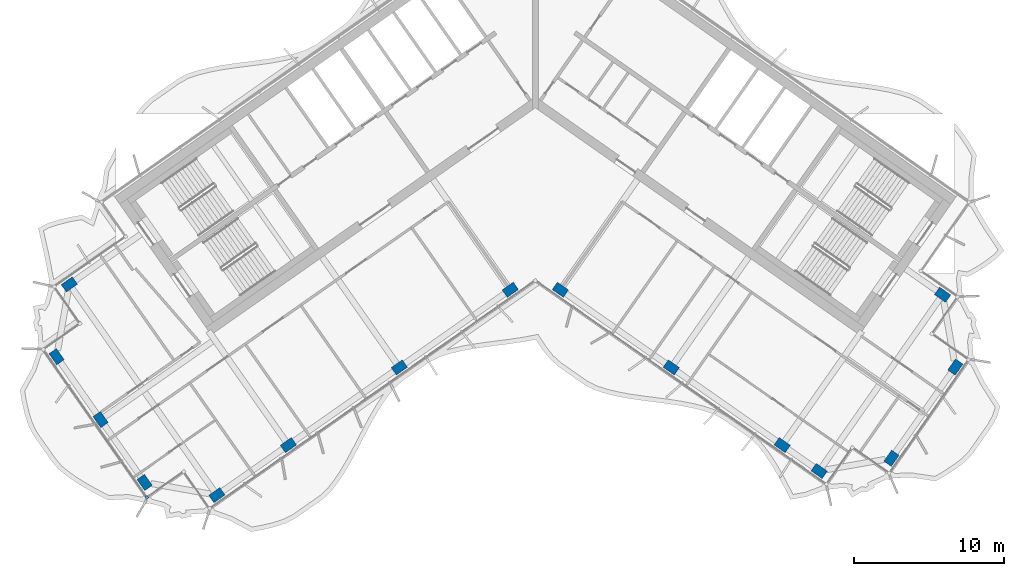
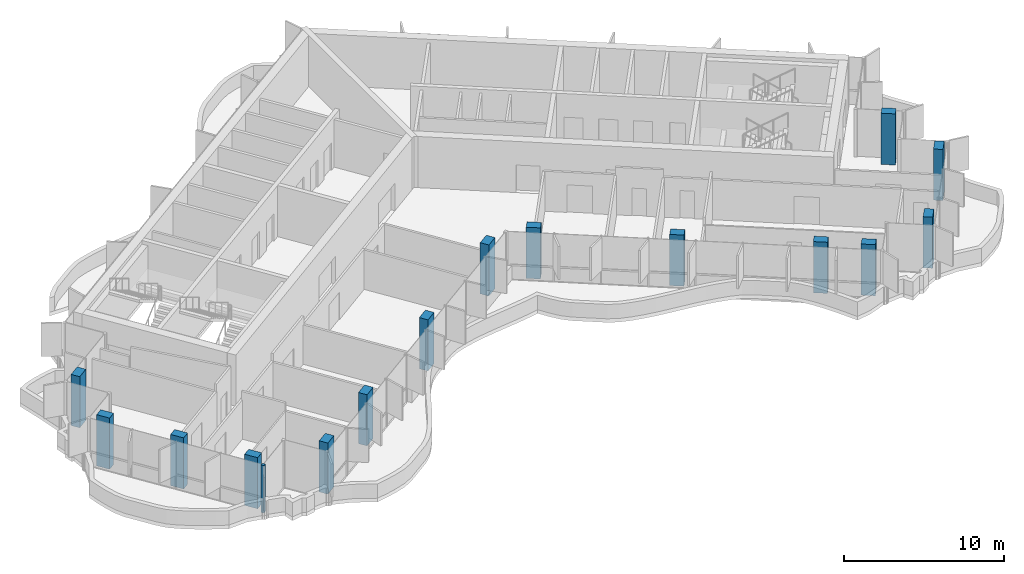
# One storey, part 1 of 17: 15 columns, 1 member, 1 element without a shape of its own.
"""IFC4 building model written with IfcOpenShell, lengths in metres."""

from ifc_helpers import new_model, si_unit, direction, frame, origin, origin_2d, place, context, subcontext, project, spatial, rectangle, extrude, material, material_profile, profile_set, type_object, element, aggregate, save


model = new_model("IFC4")

# Units and contexts
model_context = context("Model", 3, precision=1e-05, world=origin(), true_north=direction((0.0, 1.0)))
body_context = subcontext(model_context, "Body", "Model", "MODEL_VIEW")
ifc_project = project(units=[si_unit("LENGTHUNIT", "METRE"), si_unit("AREAUNIT", "SQUARE_METRE"), si_unit("VOLUMEUNIT", "CUBIC_METRE"), si_unit("PLANEANGLEUNIT", "RADIAN"), si_unit("MASSUNIT", "GRAM", prefix="KILO")], contexts=[model_context])

# Site, building, storey
site_placement = place(None, origin())
site = spatial("IfcSite", under=ifc_project, at=site_placement, CompositionType="ELEMENT")
building_placement = place(site_placement, origin())
building = spatial("IfcBuilding", under=site, at=building_placement, Name="Tel Ilan Convention Tower", CompositionType="ELEMENT")
storey_placement = place(building_placement, frame((0.0, 0.0, 276.10009765625)))
storey = spatial("IfcBuildingStorey", under=building, at=storey_placement, Name="L65", CompositionType="ELEMENT", Elevation=276.10009765625)

# Columns
ifc_material_1 = material(Name="Concrete C40/50", Category="concrete")
ifc_material_profile_1 = material_profile(ifc_material_1, rectangle(XDim=0.89990234375, YDim=0.60009765625, at=origin_2d()), Name="RC 600x900")
ifc_profile_set_1 = profile_set([ifc_material_profile_1], Name="Concrete C40/50")
column_type = type_object("IfcColumnType", Name="Column RC 600x900 C40/50", PredefinedType="COLUMN", material=ifc_profile_set_1)
for number, where, z_axis, x_axis, name in (
    (1, (-1.665283203125, -13.312744140625, 0.0), (0.0, 0.0, 1.0), (-0.819152044289, -0.573576436351, 0.0), "L65 column W-F1"),
    (2, (-9.03759765625, -18.474853515625, 0.0), (0.0, 0.0, 1.0), (-0.819152044289, -0.573576436351, 0.0), "L65 column W-F2"),
    (3, (-16.409912109375, -23.63720703125, 0.0), (0.0, 0.0, 1.0), (-0.819152044289, -0.573576436351, 0.0), "L65 column W-F3"),
    (4, (-21.1611328125, -26.9638671875, 0.0), (0.0, 0.0, 1.0), (-0.819152044289, -0.573576436351, 0.0), "L65 column W-FC"),
    (5, (-30.96923828125, -12.956298828125, 0.0), (0.0, 0.0, 1.0), (-0.819152044289, -0.573576436351, 0.0), "L65 column W-BC"),
    (6, (-25.966064453125, -26.11669921875, 0.0), (0.0, 0.0, 1.0), (-0.573576436351, 0.819152044289, 0.0), "L65 column W-E1"),
    (7, (-28.891357421875, -21.93896484375, 0.0), (0.0, 0.0, 1.0), (-0.573576436351, 0.819152044289, 0.0), "L65 column W-E2"),
    (8, (-31.81640625, -17.76123046875, 0.0), (0.0, 0.0, 1.0), (-0.573576436351, 0.819152044289, 0.0), "L65 column W-E3"),
    (9, (1.665283203125, -13.312744140625, 0.0), (0.0, 0.0, 1.0), (0.819152044289, -0.573576436351, 0.0), "L65 column E-F1"),
    (10, (9.03759765625, -18.474853515625, 0.0), (0.0, 0.0, 1.0), (0.819152044289, -0.573576436351, 0.0), "L65 column E-F2"),
    (11, (16.409912109375, -23.63720703125, 0.0), (0.0, 0.0, 1.0), (0.819152044289, -0.573576436351, 0.0), "L65 column E-F3"),
    (12, (18.867431640625, -25.35791015625, 0.0), (0.0, 0.0, 1.0), (0.819152044289, -0.573576436351, 0.0), "L65 column E-FC"),
    (13, (27.069580078125, -13.64404296875, 0.0), (0.0, 0.0, 1.0), (0.819152044289, -0.573576436351, 0.0), "L65 column E-BC"),
    (14, (23.67236328125, -24.510498046875, 0.0), (0.0, 0.0, 1.0), (0.573576436351, 0.819152044289, 0.0), "L65 column E-E1"),
    (15, (27.9169921875, -18.448974609375, 0.0), (0.0, 0.0, 1.0), (0.573576436351, 0.819152044289, 0.0), "L65 column E-E2"),
):
    element("IfcColumn", number, at=place(storey_placement, frame(where, z_axis=z_axis, x_axis=x_axis)), inside=storey, type_object=column_type, Name=name, PredefinedType="COLUMN", context=body_context, shape_type="SweptSolid", body=[
        extrude(rectangle(XDim=0.89990234375, YDim=0.60009765625, at=origin_2d()), origin(), (0.0, 0.0, 1.0), 3.89990234375),
    ])

# Curtain wall, member
ifc_material_2 = material(Name="Aluminium, bronze anodised", Category="aluminium")
curtain_wall_type = type_object("IfcCurtainWallType", Name="CW5 STICK CURTAIN WALL, UPPER OFFICE LOW-IRON TINTED GLASS", PredefinedType="NOTDEFINED", material=ifc_material_2)
curtain_wall_placement = place(storey_placement, origin())
curtain_wall = element("IfcCurtainWall", 16, at=curtain_wall_placement, inside=storey, type_object=curtain_wall_type, Name="Curtain wall CW5-50.02", PredefinedType="NOTDEFINED")
ifc_material_3 = material(Name="Aluminium, bronze anodised", Category="aluminium")
ifc_material_profile_2 = material_profile(ifc_material_3, rectangle(XDim=0.199951171875, YDim=0.199951171875, at=origin_2d()), Name="CW CORNER MULLION 200x200")
ifc_profile_set_2 = profile_set([ifc_material_profile_2], Name="Aluminium, bronze anodised")
member_type = type_object("IfcMemberType", Name="CW CORNER MULLION 200x200", PredefinedType="MULLION", material=ifc_profile_set_2)
member_placement = place(storey_placement, frame((-25.818359375, -27.112060546875, 0.0), z_axis=(0.0, 0.0, 1.0), x_axis=(0.573576436351, -0.819152044289, 0.0)))
member = element("IfcMember", 17, at=member_placement, type_object=member_type, Name="Corner mullion", PredefinedType="MULLION", context=body_context, shape_type="SweptSolid", body=[
    extrude(rectangle(XDim=0.199951171875, YDim=0.199951171875, at=origin_2d()), origin(), (0.0, 0.0, 1.0), 3.619873046875),
])
aggregate(curtain_wall, [member])

save(model, "model.ifc")
